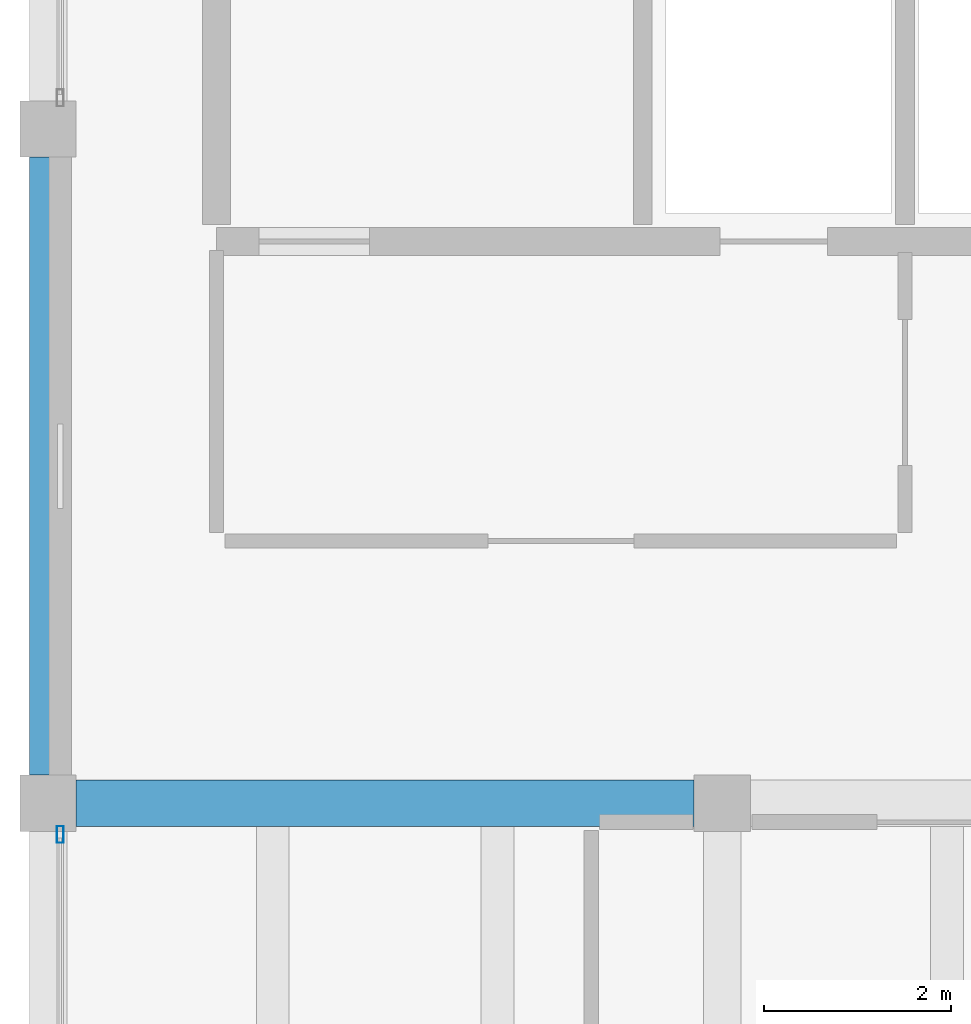
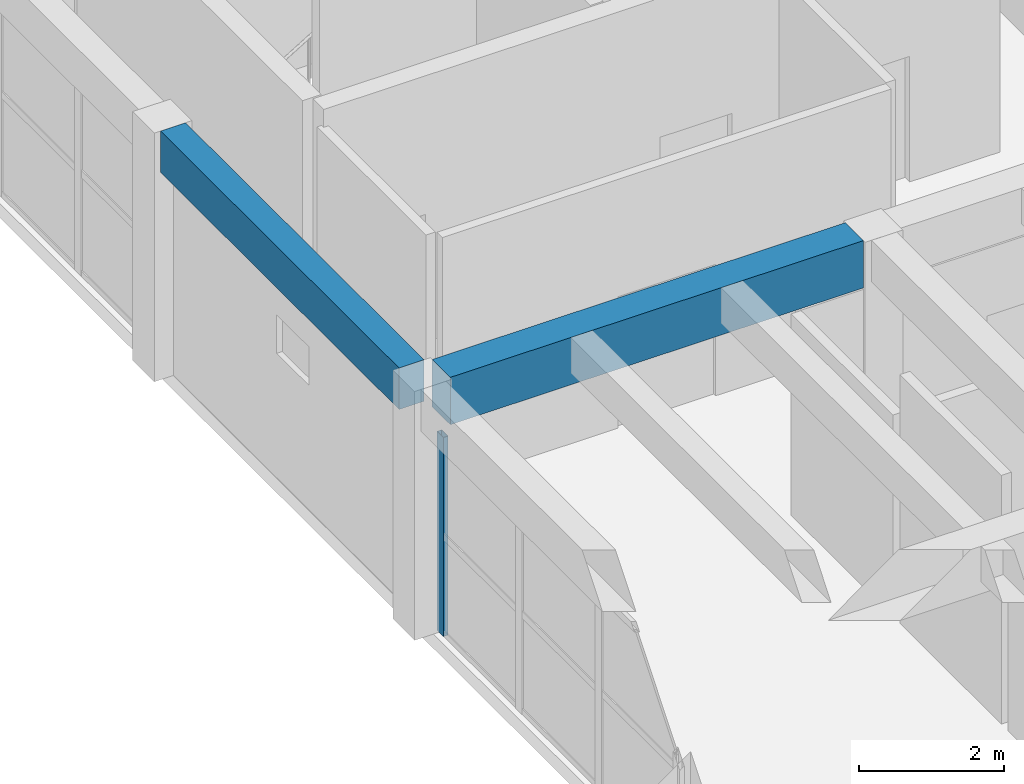
# One storey, part 78 of 153: 2 beams, 1 member, 1 element without a shape of its own.
"""IFC4 building model written with IfcOpenShell, lengths in metres."""

from ifc_helpers import new_model, si_unit, direction, frame, origin, origin_2d, place, context, subcontext, project, spatial, rectangle, hollow_rectangle, extrude, material, material_profile, profile_set, type_object, element, aggregate, save


model = new_model("IFC4")

# Units and contexts
model_context = context("Model", 3, precision=1e-05, world=origin(), true_north=direction((0.0, 1.0)))
body_context = subcontext(model_context, "Body", "Model", "MODEL_VIEW")
ifc_project = project(units=[si_unit("LENGTHUNIT", "METRE"), si_unit("AREAUNIT", "SQUARE_METRE"), si_unit("VOLUMEUNIT", "CUBIC_METRE"), si_unit("PLANEANGLEUNIT", "RADIAN"), si_unit("MASSUNIT", "GRAM", prefix="KILO")], contexts=[model_context])

# Site, building, storey
site_placement = place(None, origin())
site = spatial("IfcSite", under=ifc_project, at=site_placement, CompositionType="ELEMENT")
building_placement = place(site_placement, origin())
building = spatial("IfcBuilding", under=site, at=building_placement, Name="Bramvelor Terrace Health Centre", CompositionType="ELEMENT")
storey_placement = place(building_placement, frame((0.0, 0.0, 4.800048828125)))
storey = spatial("IfcBuildingStorey", under=building, at=storey_placement, Name="L02", CompositionType="ELEMENT", Elevation=4.800048828125)

# Beams
ifc_material_1 = material(Name="Concrete C40/50", Category="concrete")
ifc_material_profile_1 = material_profile(ifc_material_1, rectangle(XDim=0.5, YDim=0.800048828125, at=origin_2d()), Name="RC 500x800")
ifc_profile_set_1 = profile_set([ifc_material_profile_1], Name="Concrete C40/50")
beam_type_1 = type_object("IfcBeamType", Name="BM-RC-G800", PredefinedType="BEAM", material=ifc_profile_set_1)
beam_1_placement = place(storey_placement, frame((0.300048828125, 100.800048828125, 3.800048828125), z_axis=(1.0, 0.0, 0.0), x_axis=(0.0, 1.0, 0.0)))
element("IfcBeam", 1, at=beam_1_placement, inside=storey, type_object=beam_type_1, Name="L02 Floor Girder", PredefinedType="BEAM", context=body_context, shape_type="SweptSolid", body=[
    extrude(rectangle(XDim=0.5, YDim=0.800048828125, at=origin_2d()), origin(), (0.0, 0.0, 1.0), 6.599853515625),
])
ifc_material_2 = material(Name="Concrete C40/50", Category="concrete")
ifc_material_profile_2 = material_profile(ifc_material_2, rectangle(XDim=0.39990234375, YDim=0.699951171875, at=origin_2d()), Name="RC 400x700")
ifc_profile_set_2 = profile_set([ifc_material_profile_2], Name="Concrete C40/50")
beam_type_2 = type_object("IfcBeamType", Name="BM-RC-SP700-EXT", PredefinedType="SPANDREL", material=ifc_profile_set_2)
beam_2_placement = place(storey_placement, frame((0.0, 101.10009765625, 3.849853515625), z_axis=(0.0, 1.0, 0.0), x_axis=(-1.0, 0.0, 0.0)))
element("IfcBeam", 2, at=beam_2_placement, inside=storey, type_object=beam_type_2, Name="L02 Floor Girder", PredefinedType="SPANDREL", context=body_context, shape_type="SweptSolid", body=[
    extrude(rectangle(XDim=0.39990234375, YDim=0.699951171875, at=origin_2d()), origin(), (0.0, 0.0, 1.0), 6.599853515625),
])

# Curtain wall, member
ifc_material_3 = material(Name="Anodized aluminium and double low-E glass", Category="aluminium")
curtain_wall_type = type_object("IfcCurtainWallType", Name="CW-SYS-12", PredefinedType="NOTDEFINED", material=ifc_material_3)
curtain_wall_placement = place(storey_placement, origin())
curtain_wall = element("IfcCurtainWall", 3, at=curtain_wall_placement, inside=storey, type_object=curtain_wall_type, Name="L02 Unitized Curtain Wall 78", PredefinedType="NOTDEFINED")
ifc_material_4 = material(Name="Anodized aluminium 6063-T6", Category="aluminium")
ifc_material_profile_3 = material_profile(ifc_material_4, hollow_rectangle(XDim=0.074951171875, YDim=0.179931640625, WallThickness=0.00341796875, at=origin_2d()), Name="ALU-MUL 75x180x3.5")
ifc_profile_set_3 = profile_set([ifc_material_profile_3], Name="Anodized aluminium 6063-T6")
member_type = type_object("IfcMemberType", Name="CW-MUL-65x180", PredefinedType="MULLION", material=ifc_profile_set_3)
member_placement = place(storey_placement, frame((0.1298828125, 100.467529296875, 0.0), z_axis=(0.0, 0.0, 1.0), x_axis=(-1.0, 0.0, 0.0)))
member = element("IfcMember", 4, at=member_placement, type_object=member_type, Name="CW-12 mullion 4", PredefinedType="MULLION", context=body_context, shape_type="SweptSolid", body=[
    extrude(hollow_rectangle(XDim=0.074951171875, YDim=0.179931640625, WallThickness=0.00341796875, at=origin_2d()), origin(), (0.0, 0.0, 1.0), 3.35986328125),
])
aggregate(curtain_wall, [member])

save(model, "model.ifc")
